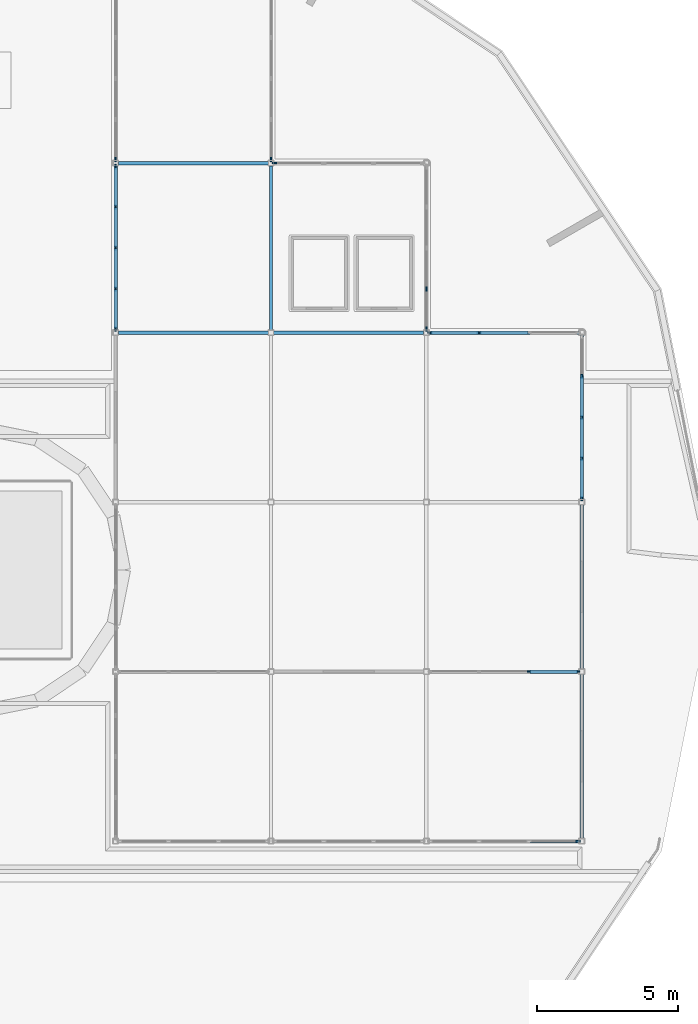
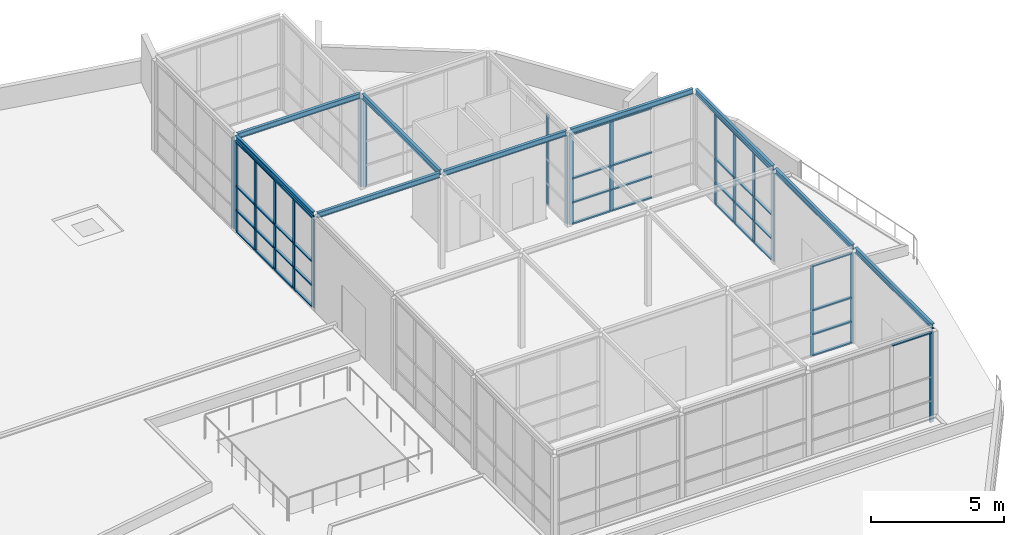
# One storey, part 13 of 40: 60 members, 9 beams, 9 elements without a shape of their own.
"""IFC4 building model written with IfcOpenShell, lengths in metres."""

from ifc_helpers import new_model, si_unit, direction, frame, origin, origin_2d, place, context, subcontext, project, spatial, rectangle, i_section, extrude, material, material_profile, profile_set, type_object, element, aggregate, save


model = new_model("IFC4")

# Units and contexts
model_context = context("Model", 3, precision=1e-05, world=origin(), true_north=direction((0.0, 1.0)))
body_context = subcontext(model_context, "Body", "Model", "MODEL_VIEW")
ifc_project = project(units=[si_unit("LENGTHUNIT", "METRE"), si_unit("AREAUNIT", "SQUARE_METRE"), si_unit("VOLUMEUNIT", "CUBIC_METRE"), si_unit("PLANEANGLEUNIT", "RADIAN"), si_unit("MASSUNIT", "GRAM", prefix="KILO")], contexts=[model_context])

# Site, building, storey
site_placement = place(None, origin())
site = spatial("IfcSite", under=ifc_project, at=site_placement, CompositionType="ELEMENT")
building_placement = place(site_placement, origin())
building = spatial("IfcBuilding", under=site, at=building_placement, Name="Ceibo Conservatory and Research Tower", CompositionType="ELEMENT")
storey_placement = place(building_placement, frame((0.0, 0.0, 6.0)))
storey = spatial("IfcBuildingStorey", under=building, at=storey_placement, Name="L01", CompositionType="ELEMENT", Elevation=6.0)

# Beams
ifc_material_1 = material(Name="Steel S355J2", Category="steel")
ifc_material_profile_1 = material_profile(ifc_material_1, i_section(OverallWidth=0.1201171875, OverallDepth=0.239990234375, WebThickness=0.006103515625, FlangeThickness=0.009765625, at=origin_2d()), Name="IPE 240")
ifc_profile_set_1 = profile_set([ifc_material_profile_1], Name="Steel S355J2")
beam_type = type_object("IfcBeamType", Name="IPE 240 gallery roof beam", PredefinedType="BEAM", material=ifc_profile_set_1)
for number, where, z_axis, x_axis, name in (
    (1, (172.794921875, 44.39990234375, 4.280029296875), (1.0, 0.0, 0.0), (0.0, 1.0, 0.0), "Sky Gallery roof beam VC-SBh03"),
    (2, (178.294921875, 44.39990234375, 4.280029296875), (1.0, 0.0, 0.0), (0.0, 1.0, 0.0), "Sky Gallery roof beam VC-SBh13"),
    (3, (183.794921875, 44.39990234375, 4.280029296875), (1.0, 0.0, 0.0), (0.0, 1.0, 0.0), "Sky Gallery roof beam VC-SBh23"),
    (4, (172.794921875, 50.39990234375, 4.280029296875), (1.0, 0.0, 0.0), (0.0, 1.0, 0.0), "Sky Gallery roof beam VC-SBh04"),
):
    element("IfcBeam", number, at=place(storey_placement, frame(where, z_axis=z_axis, x_axis=x_axis)), inside=storey, type_object=beam_type, Name=name, PredefinedType="BEAM", context=body_context, shape_type="SweptSolid", body=[
        extrude(i_section(OverallWidth=0.1201171875, OverallDepth=0.239990234375, WebThickness=0.006103515625, FlangeThickness=0.009765625, at=origin_2d()), origin(), (0.0, 0.0, 1.0), 5.31005859375),
    ])
for number, where, z_axis, x_axis, name in (
    (5, (172.699951171875, 44.4951171875, 4.280029296875), (0.0, 1.0, 0.0), (-1.0, 0.0, 0.0), "Sky Gallery roof beam VC-SBv03"),
    (6, (178.199951171875, 44.4951171875, 4.280029296875), (0.0, 1.0, 0.0), (-1.0, 0.0, 0.0), "Sky Gallery roof beam VC-SBv13"),
    (7, (189.199951171875, 26.4951171875, 4.280029296875), (0.0, 1.0, 0.0), (-1.0, 0.0, 0.0), "Sky Gallery roof beam VC-SBv30"),
    (8, (189.199951171875, 32.4951171875, 4.280029296875), (0.0, 1.0, 0.0), (-1.0, 0.0, 0.0), "Sky Gallery roof beam VC-SBv31"),
    (9, (189.199951171875, 38.4951171875, 4.280029296875), (0.0, 1.0, 0.0), (-1.0, 0.0, 0.0), "Sky Gallery roof beam VC-SBv32"),
):
    element("IfcBeam", number, at=place(storey_placement, frame(where, z_axis=z_axis, x_axis=x_axis)), inside=storey, type_object=beam_type, Name=name, PredefinedType="BEAM", context=body_context, shape_type="SweptSolid", body=[
        extrude(i_section(OverallWidth=0.1201171875, OverallDepth=0.239990234375, WebThickness=0.006103515625, FlangeThickness=0.009765625, at=origin_2d()), origin(), (0.0, 0.0, 1.0), 5.809814453125),
    ])

# Curtain wall, member
ifc_material_2 = material(Name="Aluminium and glass", Category="aluminium")
curtain_wall_type_1 = type_object("IfcCurtainWallType", Name="Sky gallery curtain wall", PredefinedType="NOTDEFINED", material=ifc_material_2)
curtain_wall_1_placement = place(storey_placement, origin())
curtain_wall_1 = element("IfcCurtainWall", 10, at=curtain_wall_1_placement, inside=storey, type_object=curtain_wall_type_1, Name="Sky Gallery curtain wall h20", PredefinedType="NOTDEFINED")
ifc_material_3 = material(Name="Aluminium", Category="aluminium")
ifc_material_profile_2 = material_profile(ifc_material_3, rectangle(XDim=0.06005859375, YDim=0.159912109375, at=origin_2d()), Name="AL 60x160")
ifc_profile_set_2 = profile_set([ifc_material_profile_2], Name="Aluminium")
member_type_1 = type_object("IfcMemberType", Name="Sky gallery mullion 60x160", PredefinedType="MULLION", material=ifc_profile_set_2)
member_1_placement = place(storey_placement, frame((189.070068359375, 26.39990234375, 0.0), z_axis=(0.0, 0.0, 1.0), x_axis=(0.0, 1.0, 0.0)))
member_1 = element("IfcMember", 11, at=member_1_placement, type_object=member_type_1, Name="VC-SWh20 mullion 4", PredefinedType="MULLION", context=body_context, shape_type="SweptSolid", body=[
    extrude(rectangle(XDim=0.06005859375, YDim=0.159912109375, at=origin_2d()), origin(), (0.0, 0.0, 1.0), 4.159912109375),
])

# Curtain wall, members
curtain_wall_2_placement = place(storey_placement, origin())
curtain_wall_2 = element("IfcCurtainWall", 12, at=curtain_wall_2_placement, inside=storey, type_object=curtain_wall_type_1, Name="Sky Gallery curtain wall h23", PredefinedType="NOTDEFINED")
member_2_placement = place(storey_placement, frame((183.830078125, 44.39990234375, 0.0), z_axis=(0.0, 0.0, 1.0), x_axis=(0.0, 1.0, 0.0)))
member_2 = element("IfcMember", 13, at=member_2_placement, type_object=member_type_1, Name="VC-SWh23 mullion 1", PredefinedType="MULLION", context=body_context, shape_type="SweptSolid", body=[
    extrude(rectangle(XDim=0.06005859375, YDim=0.159912109375, at=origin_2d()), origin(), (0.0, 0.0, 1.0), 4.159912109375),
])
member_3_placement = place(storey_placement, frame((185.566650390625, 44.39990234375, 0.0), z_axis=(0.0, 0.0, 1.0), x_axis=(0.0, 1.0, 0.0)))
member_3 = element("IfcMember", 14, at=member_3_placement, type_object=member_type_1, Name="VC-SWh23 mullion 2", PredefinedType="MULLION", context=body_context, shape_type="SweptSolid", body=[
    extrude(rectangle(XDim=0.06005859375, YDim=0.159912109375, at=origin_2d()), origin(), (0.0, 0.0, 1.0), 4.159912109375),
])

# Curtain wall, member
curtain_wall_3_placement = place(storey_placement, origin())
curtain_wall_3 = element("IfcCurtainWall", 15, at=curtain_wall_3_placement, inside=storey, type_object=curtain_wall_type_1, Name="Sky Gallery curtain wall h14", PredefinedType="NOTDEFINED")
member_4_placement = place(storey_placement, frame((178.330078125, 50.39990234375, 0.0), z_axis=(0.0, 0.0, 1.0), x_axis=(0.0, 1.0, 0.0)))
member_4 = element("IfcMember", 16, at=member_4_placement, type_object=member_type_1, Name="VC-SWh14 mullion 1", PredefinedType="MULLION", context=body_context, shape_type="SweptSolid", body=[
    extrude(rectangle(XDim=0.06005859375, YDim=0.159912109375, at=origin_2d()), origin(), (0.0, 0.0, 1.0), 4.159912109375),
])
aggregate(curtain_wall_3, [member_4])

# Curtain wall, members
curtain_wall_4_placement = place(storey_placement, origin())
curtain_wall_4 = element("IfcCurtainWall", 17, at=curtain_wall_4_placement, inside=storey, type_object=curtain_wall_type_1, Name="Sky Gallery curtain wall v03", PredefinedType="NOTDEFINED")
member_5_placement = place(storey_placement, frame((172.699951171875, 44.530029296875, 0.0), z_axis=(0.0, 0.0, 1.0), x_axis=(-1.0, 0.0, 0.0)))
member_5 = element("IfcMember", 18, at=member_5_placement, type_object=member_type_1, Name="VC-SWv03 mullion 1", PredefinedType="MULLION", context=body_context, shape_type="SweptSolid", body=[
    extrude(rectangle(XDim=0.06005859375, YDim=0.159912109375, at=origin_2d()), origin(), (0.0, 0.0, 1.0), 4.159912109375),
])
member_6_placement = place(storey_placement, frame((172.699951171875, 45.949951171875, 0.0), z_axis=(0.0, 0.0, 1.0), x_axis=(-1.0, 0.0, 0.0)))
member_6 = element("IfcMember", 19, at=member_6_placement, type_object=member_type_1, Name="VC-SWv03 mullion 2", PredefinedType="MULLION", context=body_context, shape_type="SweptSolid", body=[
    extrude(rectangle(XDim=0.06005859375, YDim=0.159912109375, at=origin_2d()), origin(), (0.0, 0.0, 1.0), 4.159912109375),
])
member_7_placement = place(storey_placement, frame((172.699951171875, 47.39990234375, 0.0), z_axis=(0.0, 0.0, 1.0), x_axis=(-1.0, 0.0, 0.0)))
member_7 = element("IfcMember", 20, at=member_7_placement, type_object=member_type_1, Name="VC-SWv03 mullion 3", PredefinedType="MULLION", context=body_context, shape_type="SweptSolid", body=[
    extrude(rectangle(XDim=0.06005859375, YDim=0.159912109375, at=origin_2d()), origin(), (0.0, 0.0, 1.0), 4.159912109375),
])
member_8_placement = place(storey_placement, frame((172.699951171875, 48.85009765625, 0.0), z_axis=(0.0, 0.0, 1.0), x_axis=(-1.0, 0.0, 0.0)))
member_8 = element("IfcMember", 21, at=member_8_placement, type_object=member_type_1, Name="VC-SWv03 mullion 4", PredefinedType="MULLION", context=body_context, shape_type="SweptSolid", body=[
    extrude(rectangle(XDim=0.06005859375, YDim=0.159912109375, at=origin_2d()), origin(), (0.0, 0.0, 1.0), 4.159912109375),
])
member_9_placement = place(storey_placement, frame((172.699951171875, 50.27001953125, 0.0), z_axis=(0.0, 0.0, 1.0), x_axis=(-1.0, 0.0, 0.0)))
member_9 = element("IfcMember", 22, at=member_9_placement, type_object=member_type_1, Name="VC-SWv03 mullion 5", PredefinedType="MULLION", context=body_context, shape_type="SweptSolid", body=[
    extrude(rectangle(XDim=0.06005859375, YDim=0.159912109375, at=origin_2d()), origin(), (0.0, 0.0, 1.0), 4.159912109375),
])

# Curtain wall, member
curtain_wall_5_placement = place(storey_placement, origin())
curtain_wall_5 = element("IfcCurtainWall", 23, at=curtain_wall_5_placement, inside=storey, type_object=curtain_wall_type_1, Name="Sky Gallery curtain wall v04", PredefinedType="NOTDEFINED")
member_10_placement = place(storey_placement, frame((172.699951171875, 50.530029296875, 0.0), z_axis=(0.0, 0.0, 1.0), x_axis=(-1.0, 0.0, 0.0)))
member_10 = element("IfcMember", 24, at=member_10_placement, type_object=member_type_1, Name="VC-SWv04 mullion 1", PredefinedType="MULLION", context=body_context, shape_type="SweptSolid", body=[
    extrude(rectangle(XDim=0.06005859375, YDim=0.159912109375, at=origin_2d()), origin(), (0.0, 0.0, 1.0), 4.159912109375),
])
aggregate(curtain_wall_5, [member_10])

curtain_wall_6_placement = place(storey_placement, origin())
curtain_wall_6 = element("IfcCurtainWall", 25, at=curtain_wall_6_placement, inside=storey, type_object=curtain_wall_type_1, Name="Sky Gallery curtain wall v14", PredefinedType="NOTDEFINED")
member_11_placement = place(storey_placement, frame((178.199951171875, 50.530029296875, 0.0), z_axis=(0.0, 0.0, 1.0), x_axis=(-1.0, 0.0, 0.0)))
member_11 = element("IfcMember", 26, at=member_11_placement, type_object=member_type_1, Name="VC-SWv14 mullion 1", PredefinedType="MULLION", context=body_context, shape_type="SweptSolid", body=[
    extrude(rectangle(XDim=0.06005859375, YDim=0.159912109375, at=origin_2d()), origin(), (0.0, 0.0, 1.0), 4.159912109375),
])
aggregate(curtain_wall_6, [member_11])

# Curtain wall, members
curtain_wall_7_placement = place(storey_placement, origin())
curtain_wall_7 = element("IfcCurtainWall", 27, at=curtain_wall_7_placement, inside=storey, type_object=curtain_wall_type_1, Name="Sky Gallery curtain wall v23", PredefinedType="NOTDEFINED")
member_12_placement = place(storey_placement, frame((183.699951171875, 44.530029296875, 0.0), z_axis=(0.0, 0.0, 1.0), x_axis=(-1.0, 0.0, 0.0)))
member_12 = element("IfcMember", 28, at=member_12_placement, type_object=member_type_1, Name="VC-SWv23 mullion 1", PredefinedType="MULLION", context=body_context, shape_type="SweptSolid", body=[
    extrude(rectangle(XDim=0.06005859375, YDim=0.159912109375, at=origin_2d()), origin(), (0.0, 0.0, 1.0), 4.159912109375),
])
member_13_placement = place(storey_placement, frame((183.699951171875, 45.949951171875, 0.0), z_axis=(0.0, 0.0, 1.0), x_axis=(-1.0, 0.0, 0.0)))
member_13 = element("IfcMember", 29, at=member_13_placement, type_object=member_type_1, Name="VC-SWv23 mullion 2", PredefinedType="MULLION", context=body_context, shape_type="SweptSolid", body=[
    extrude(rectangle(XDim=0.06005859375, YDim=0.159912109375, at=origin_2d()), origin(), (0.0, 0.0, 1.0), 4.159912109375),
])
aggregate(curtain_wall_7, [member_12, member_13])

curtain_wall_8_placement = place(storey_placement, origin())
curtain_wall_8 = element("IfcCurtainWall", 30, at=curtain_wall_8_placement, inside=storey, type_object=curtain_wall_type_1, Name="Sky Gallery curtain wall v32", PredefinedType="NOTDEFINED")
member_14_placement = place(storey_placement, frame((189.199951171875, 38.530029296875, 0.0), z_axis=(0.0, 0.0, 1.0), x_axis=(-1.0, 0.0, 0.0)))
member_14 = element("IfcMember", 31, at=member_14_placement, type_object=member_type_1, Name="VC-SWv32 mullion 1", PredefinedType="MULLION", context=body_context, shape_type="SweptSolid", body=[
    extrude(rectangle(XDim=0.06005859375, YDim=0.159912109375, at=origin_2d()), origin(), (0.0, 0.0, 1.0), 4.159912109375),
])
member_15_placement = place(storey_placement, frame((189.199951171875, 39.949951171875, 0.0), z_axis=(0.0, 0.0, 1.0), x_axis=(-1.0, 0.0, 0.0)))
member_15 = element("IfcMember", 32, at=member_15_placement, type_object=member_type_1, Name="VC-SWv32 mullion 2", PredefinedType="MULLION", context=body_context, shape_type="SweptSolid", body=[
    extrude(rectangle(XDim=0.06005859375, YDim=0.159912109375, at=origin_2d()), origin(), (0.0, 0.0, 1.0), 4.159912109375),
])
member_16_placement = place(storey_placement, frame((189.199951171875, 41.39990234375, 0.0), z_axis=(0.0, 0.0, 1.0), x_axis=(-1.0, 0.0, 0.0)))
member_16 = element("IfcMember", 33, at=member_16_placement, type_object=member_type_1, Name="VC-SWv32 mullion 3", PredefinedType="MULLION", context=body_context, shape_type="SweptSolid", body=[
    extrude(rectangle(XDim=0.06005859375, YDim=0.159912109375, at=origin_2d()), origin(), (0.0, 0.0, 1.0), 4.159912109375),
])
member_17_placement = place(storey_placement, frame((189.199951171875, 42.85009765625, 0.0), z_axis=(0.0, 0.0, 1.0), x_axis=(-1.0, 0.0, 0.0)))
member_17 = element("IfcMember", 34, at=member_17_placement, type_object=member_type_1, Name="VC-SWv32 mullion 4", PredefinedType="MULLION", context=body_context, shape_type="SweptSolid", body=[
    extrude(rectangle(XDim=0.06005859375, YDim=0.159912109375, at=origin_2d()), origin(), (0.0, 0.0, 1.0), 4.159912109375),
])

curtain_wall_type_2 = type_object("IfcCurtainWallType", Name="Sky gallery partition glazing", PredefinedType="NOTDEFINED", material=ifc_material_2)
curtain_wall_9_placement = place(storey_placement, origin())
curtain_wall_9 = element("IfcCurtainWall", 35, at=curtain_wall_9_placement, inside=storey, type_object=curtain_wall_type_2, Name="Sky Gallery curtain wall h21", PredefinedType="NOTDEFINED")
ifc_material_profile_3 = material_profile(ifc_material_3, rectangle(XDim=0.06005859375, YDim=0.1201171875, at=origin_2d()), Name="AL 60x120")
ifc_profile_set_3 = profile_set([ifc_material_profile_3], Name="Aluminium")
member_type_2 = type_object("IfcMemberType", Name="Sky gallery partition mullion 60x120", PredefinedType="MULLION", material=ifc_profile_set_3)
member_18_placement = place(storey_placement, frame((187.333251953125, 32.39990234375, 0.0), z_axis=(0.0, 0.0, 1.0), x_axis=(0.0, 1.0, 0.0)))
member_18 = element("IfcMember", 36, at=member_18_placement, type_object=member_type_2, Name="VC-SWh21 mullion 3", PredefinedType="MULLION", context=body_context, shape_type="SweptSolid", body=[
    extrude(rectangle(XDim=0.06005859375, YDim=0.1201171875, at=origin_2d()), origin(), (0.0, 0.0, 1.0), 4.159912109375),
])
member_19_placement = place(storey_placement, frame((189.070068359375, 32.39990234375, 0.0), z_axis=(0.0, 0.0, 1.0), x_axis=(0.0, 1.0, 0.0)))
member_19 = element("IfcMember", 37, at=member_19_placement, type_object=member_type_2, Name="VC-SWh21 mullion 4", PredefinedType="MULLION", context=body_context, shape_type="SweptSolid", body=[
    extrude(rectangle(XDim=0.06005859375, YDim=0.1201171875, at=origin_2d()), origin(), (0.0, 0.0, 1.0), 4.159912109375),
])
ifc_material_profile_4 = material_profile(ifc_material_3, rectangle(XDim=0.1201171875, YDim=0.06005859375, at=origin_2d()), Name="AL 60x120")
ifc_profile_set_4 = profile_set([ifc_material_profile_4], Name="Aluminium")
member_type_3 = type_object("IfcMemberType", Name="Sky gallery partition transom 60x120", PredefinedType="USERDEFINED", material=ifc_profile_set_4)
member_20_placement = place(storey_placement, frame((187.36328125, 32.39990234375, 0.030029296875), z_axis=(1.0, 0.0, 0.0), x_axis=(0.0, 1.0, 0.0)))
member_20 = element("IfcMember", 38, at=member_20_placement, type_object=member_type_3, Name="VC-SWh21 transom 3.1", ObjectType="TRANSOM", PredefinedType="USERDEFINED", context=body_context, shape_type="SweptSolid", body=[
    extrude(rectangle(XDim=0.1201171875, YDim=0.06005859375, at=origin_2d()), origin(), (0.0, 0.0, 1.0), 1.6767578125),
])
member_21_placement = place(storey_placement, frame((187.36328125, 32.39990234375, 1.0), z_axis=(1.0, 0.0, 0.0), x_axis=(0.0, 1.0, 0.0)))
member_21 = element("IfcMember", 39, at=member_21_placement, type_object=member_type_3, Name="VC-SWh21 transom 3.2", ObjectType="TRANSOM", PredefinedType="USERDEFINED", context=body_context, shape_type="SweptSolid", body=[
    extrude(rectangle(XDim=0.1201171875, YDim=0.06005859375, at=origin_2d()), origin(), (0.0, 0.0, 1.0), 1.6767578125),
])
member_22_placement = place(storey_placement, frame((187.36328125, 32.39990234375, 2.10009765625), z_axis=(1.0, 0.0, 0.0), x_axis=(0.0, 1.0, 0.0)))
member_22 = element("IfcMember", 40, at=member_22_placement, type_object=member_type_3, Name="VC-SWh21 transom 3.3", ObjectType="TRANSOM", PredefinedType="USERDEFINED", context=body_context, shape_type="SweptSolid", body=[
    extrude(rectangle(XDim=0.1201171875, YDim=0.06005859375, at=origin_2d()), origin(), (0.0, 0.0, 1.0), 1.6767578125),
])
member_23_placement = place(storey_placement, frame((187.36328125, 32.39990234375, 4.1298828125), z_axis=(1.0, 0.0, 0.0), x_axis=(0.0, 1.0, 0.0)))
member_23 = element("IfcMember", 41, at=member_23_placement, type_object=member_type_3, Name="VC-SWh21 transom 3.4", ObjectType="TRANSOM", PredefinedType="USERDEFINED", context=body_context, shape_type="SweptSolid", body=[
    extrude(rectangle(XDim=0.1201171875, YDim=0.06005859375, at=origin_2d()), origin(), (0.0, 0.0, 1.0), 1.6767578125),
])
aggregate(curtain_wall_9, [member_18, member_19, member_20, member_21, member_22, member_23])

# Member
ifc_material_profile_5 = material_profile(ifc_material_3, rectangle(XDim=0.1201171875, YDim=0.06005859375, at=origin_2d()), Name="AL 60x120")
ifc_profile_set_5 = profile_set([ifc_material_profile_5], Name="Aluminium")
member_type_4 = type_object("IfcMemberType", Name="Sky gallery transom 60x120", PredefinedType="USERDEFINED", material=ifc_profile_set_5)
member_24_placement = place(storey_placement, frame((187.36328125, 26.39990234375, 4.1298828125), z_axis=(1.0, 0.0, 0.0), x_axis=(0.0, 1.0, 0.0)))
member_24 = element("IfcMember", 42, at=member_24_placement, type_object=member_type_4, Name="VC-SWh20 transom 3.4", ObjectType="TRANSOM", PredefinedType="USERDEFINED", context=body_context, shape_type="SweptSolid", body=[
    extrude(rectangle(XDim=0.1201171875, YDim=0.06005859375, at=origin_2d()), origin(), (0.0, 0.0, 1.0), 1.6767578125),
])

aggregate(curtain_wall_1, [member_1, member_24])

member_25_placement = place(storey_placement, frame((183.860107421875, 44.39990234375, 0.030029296875), z_axis=(1.0, 0.0, 0.0), x_axis=(0.0, 1.0, 0.0)))
member_25 = element("IfcMember", 43, at=member_25_placement, type_object=member_type_4, Name="VC-SWh23 transom 1.1", ObjectType="TRANSOM", PredefinedType="USERDEFINED", context=body_context, shape_type="SweptSolid", body=[
    extrude(rectangle(XDim=0.1201171875, YDim=0.06005859375, at=origin_2d()), origin(), (0.0, 0.0, 1.0), 1.676513671875),
])

member_26_placement = place(storey_placement, frame((183.860107421875, 44.39990234375, 1.0), z_axis=(1.0, 0.0, 0.0), x_axis=(0.0, 1.0, 0.0)))
member_26 = element("IfcMember", 44, at=member_26_placement, type_object=member_type_4, Name="VC-SWh23 transom 1.2", ObjectType="TRANSOM", PredefinedType="USERDEFINED", context=body_context, shape_type="SweptSolid", body=[
    extrude(rectangle(XDim=0.1201171875, YDim=0.06005859375, at=origin_2d()), origin(), (0.0, 0.0, 1.0), 1.676513671875),
])

member_27_placement = place(storey_placement, frame((183.860107421875, 44.39990234375, 2.10009765625), z_axis=(1.0, 0.0, 0.0), x_axis=(0.0, 1.0, 0.0)))
member_27 = element("IfcMember", 45, at=member_27_placement, type_object=member_type_4, Name="VC-SWh23 transom 1.3", ObjectType="TRANSOM", PredefinedType="USERDEFINED", context=body_context, shape_type="SweptSolid", body=[
    extrude(rectangle(XDim=0.1201171875, YDim=0.06005859375, at=origin_2d()), origin(), (0.0, 0.0, 1.0), 1.676513671875),
])

member_28_placement = place(storey_placement, frame((183.860107421875, 44.39990234375, 4.1298828125), z_axis=(1.0, 0.0, 0.0), x_axis=(0.0, 1.0, 0.0)))
member_28 = element("IfcMember", 46, at=member_28_placement, type_object=member_type_4, Name="VC-SWh23 transom 1.4", ObjectType="TRANSOM", PredefinedType="USERDEFINED", context=body_context, shape_type="SweptSolid", body=[
    extrude(rectangle(XDim=0.1201171875, YDim=0.06005859375, at=origin_2d()), origin(), (0.0, 0.0, 1.0), 1.676513671875),
])

member_29_placement = place(storey_placement, frame((185.5966796875, 44.39990234375, 0.030029296875), z_axis=(1.0, 0.0, 0.0), x_axis=(0.0, 1.0, 0.0)))
member_29 = element("IfcMember", 47, at=member_29_placement, type_object=member_type_4, Name="VC-SWh23 transom 2.1", ObjectType="TRANSOM", PredefinedType="USERDEFINED", context=body_context, shape_type="SweptSolid", body=[
    extrude(rectangle(XDim=0.1201171875, YDim=0.06005859375, at=origin_2d()), origin(), (0.0, 0.0, 1.0), 1.70654296875),
])

member_30_placement = place(storey_placement, frame((185.5966796875, 44.39990234375, 1.0), z_axis=(1.0, 0.0, 0.0), x_axis=(0.0, 1.0, 0.0)))
member_30 = element("IfcMember", 48, at=member_30_placement, type_object=member_type_4, Name="VC-SWh23 transom 2.2", ObjectType="TRANSOM", PredefinedType="USERDEFINED", context=body_context, shape_type="SweptSolid", body=[
    extrude(rectangle(XDim=0.1201171875, YDim=0.06005859375, at=origin_2d()), origin(), (0.0, 0.0, 1.0), 1.70654296875),
])

member_31_placement = place(storey_placement, frame((185.5966796875, 44.39990234375, 2.10009765625), z_axis=(1.0, 0.0, 0.0), x_axis=(0.0, 1.0, 0.0)))
member_31 = element("IfcMember", 49, at=member_31_placement, type_object=member_type_4, Name="VC-SWh23 transom 2.3", ObjectType="TRANSOM", PredefinedType="USERDEFINED", context=body_context, shape_type="SweptSolid", body=[
    extrude(rectangle(XDim=0.1201171875, YDim=0.06005859375, at=origin_2d()), origin(), (0.0, 0.0, 1.0), 1.70654296875),
])

member_32_placement = place(storey_placement, frame((185.5966796875, 44.39990234375, 4.1298828125), z_axis=(1.0, 0.0, 0.0), x_axis=(0.0, 1.0, 0.0)))
member_32 = element("IfcMember", 50, at=member_32_placement, type_object=member_type_4, Name="VC-SWh23 transom 2.4", ObjectType="TRANSOM", PredefinedType="USERDEFINED", context=body_context, shape_type="SweptSolid", body=[
    extrude(rectangle(XDim=0.1201171875, YDim=0.06005859375, at=origin_2d()), origin(), (0.0, 0.0, 1.0), 1.70654296875),
])

aggregate(curtain_wall_2, [member_2, member_3, member_25, member_26, member_27, member_28, member_29, member_30, member_31, member_32])

member_33_placement = place(storey_placement, frame((172.699951171875, 44.56005859375, 0.030029296875), z_axis=(0.0, 1.0, 0.0), x_axis=(-1.0, 0.0, 0.0)))
member_33 = element("IfcMember", 51, at=member_33_placement, type_object=member_type_4, Name="VC-SWv03 transom 1.1", ObjectType="TRANSOM", PredefinedType="USERDEFINED", context=body_context, shape_type="SweptSolid", body=[
    extrude(rectangle(XDim=0.1201171875, YDim=0.06005859375, at=origin_2d()), origin(), (0.0, 0.0, 1.0), 1.35986328125),
])

member_34_placement = place(storey_placement, frame((172.699951171875, 44.56005859375, 1.0), z_axis=(0.0, 1.0, 0.0), x_axis=(-1.0, 0.0, 0.0)))
member_34 = element("IfcMember", 52, at=member_34_placement, type_object=member_type_4, Name="VC-SWv03 transom 1.2", ObjectType="TRANSOM", PredefinedType="USERDEFINED", context=body_context, shape_type="SweptSolid", body=[
    extrude(rectangle(XDim=0.1201171875, YDim=0.06005859375, at=origin_2d()), origin(), (0.0, 0.0, 1.0), 1.35986328125),
])

member_35_placement = place(storey_placement, frame((172.699951171875, 44.56005859375, 2.10009765625), z_axis=(0.0, 1.0, 0.0), x_axis=(-1.0, 0.0, 0.0)))
member_35 = element("IfcMember", 53, at=member_35_placement, type_object=member_type_4, Name="VC-SWv03 transom 1.3", ObjectType="TRANSOM", PredefinedType="USERDEFINED", context=body_context, shape_type="SweptSolid", body=[
    extrude(rectangle(XDim=0.1201171875, YDim=0.06005859375, at=origin_2d()), origin(), (0.0, 0.0, 1.0), 1.35986328125),
])

member_36_placement = place(storey_placement, frame((172.699951171875, 44.56005859375, 4.1298828125), z_axis=(0.0, 1.0, 0.0), x_axis=(-1.0, 0.0, 0.0)))
member_36 = element("IfcMember", 54, at=member_36_placement, type_object=member_type_4, Name="VC-SWv03 transom 1.4", ObjectType="TRANSOM", PredefinedType="USERDEFINED", context=body_context, shape_type="SweptSolid", body=[
    extrude(rectangle(XDim=0.1201171875, YDim=0.06005859375, at=origin_2d()), origin(), (0.0, 0.0, 1.0), 1.35986328125),
])

member_37_placement = place(storey_placement, frame((172.699951171875, 45.97998046875, 0.030029296875), z_axis=(0.0, 1.0, 0.0), x_axis=(-1.0, 0.0, 0.0)))
member_37 = element("IfcMember", 55, at=member_37_placement, type_object=member_type_4, Name="VC-SWv03 transom 2.1", ObjectType="TRANSOM", PredefinedType="USERDEFINED", context=body_context, shape_type="SweptSolid", body=[
    extrude(rectangle(XDim=0.1201171875, YDim=0.06005859375, at=origin_2d()), origin(), (0.0, 0.0, 1.0), 1.39013671875),
])

member_38_placement = place(storey_placement, frame((172.699951171875, 45.97998046875, 1.0), z_axis=(0.0, 1.0, 0.0), x_axis=(-1.0, 0.0, 0.0)))
member_38 = element("IfcMember", 56, at=member_38_placement, type_object=member_type_4, Name="VC-SWv03 transom 2.2", ObjectType="TRANSOM", PredefinedType="USERDEFINED", context=body_context, shape_type="SweptSolid", body=[
    extrude(rectangle(XDim=0.1201171875, YDim=0.06005859375, at=origin_2d()), origin(), (0.0, 0.0, 1.0), 1.39013671875),
])

member_39_placement = place(storey_placement, frame((172.699951171875, 45.97998046875, 2.10009765625), z_axis=(0.0, 1.0, 0.0), x_axis=(-1.0, 0.0, 0.0)))
member_39 = element("IfcMember", 57, at=member_39_placement, type_object=member_type_4, Name="VC-SWv03 transom 2.3", ObjectType="TRANSOM", PredefinedType="USERDEFINED", context=body_context, shape_type="SweptSolid", body=[
    extrude(rectangle(XDim=0.1201171875, YDim=0.06005859375, at=origin_2d()), origin(), (0.0, 0.0, 1.0), 1.39013671875),
])

member_40_placement = place(storey_placement, frame((172.699951171875, 45.97998046875, 4.1298828125), z_axis=(0.0, 1.0, 0.0), x_axis=(-1.0, 0.0, 0.0)))
member_40 = element("IfcMember", 58, at=member_40_placement, type_object=member_type_4, Name="VC-SWv03 transom 2.4", ObjectType="TRANSOM", PredefinedType="USERDEFINED", context=body_context, shape_type="SweptSolid", body=[
    extrude(rectangle(XDim=0.1201171875, YDim=0.06005859375, at=origin_2d()), origin(), (0.0, 0.0, 1.0), 1.39013671875),
])

member_41_placement = place(storey_placement, frame((172.699951171875, 47.429931640625, 0.030029296875), z_axis=(0.0, 1.0, 0.0), x_axis=(-1.0, 0.0, 0.0)))
member_41 = element("IfcMember", 59, at=member_41_placement, type_object=member_type_4, Name="VC-SWv03 transom 3.1", ObjectType="TRANSOM", PredefinedType="USERDEFINED", context=body_context, shape_type="SweptSolid", body=[
    extrude(rectangle(XDim=0.1201171875, YDim=0.06005859375, at=origin_2d()), origin(), (0.0, 0.0, 1.0), 1.39013671875),
])

member_42_placement = place(storey_placement, frame((172.699951171875, 47.429931640625, 1.0), z_axis=(0.0, 1.0, 0.0), x_axis=(-1.0, 0.0, 0.0)))
member_42 = element("IfcMember", 60, at=member_42_placement, type_object=member_type_4, Name="VC-SWv03 transom 3.2", ObjectType="TRANSOM", PredefinedType="USERDEFINED", context=body_context, shape_type="SweptSolid", body=[
    extrude(rectangle(XDim=0.1201171875, YDim=0.06005859375, at=origin_2d()), origin(), (0.0, 0.0, 1.0), 1.39013671875),
])

member_43_placement = place(storey_placement, frame((172.699951171875, 47.429931640625, 2.10009765625), z_axis=(0.0, 1.0, 0.0), x_axis=(-1.0, 0.0, 0.0)))
member_43 = element("IfcMember", 61, at=member_43_placement, type_object=member_type_4, Name="VC-SWv03 transom 3.3", ObjectType="TRANSOM", PredefinedType="USERDEFINED", context=body_context, shape_type="SweptSolid", body=[
    extrude(rectangle(XDim=0.1201171875, YDim=0.06005859375, at=origin_2d()), origin(), (0.0, 0.0, 1.0), 1.39013671875),
])

member_44_placement = place(storey_placement, frame((172.699951171875, 47.429931640625, 4.1298828125), z_axis=(0.0, 1.0, 0.0), x_axis=(-1.0, 0.0, 0.0)))
member_44 = element("IfcMember", 62, at=member_44_placement, type_object=member_type_4, Name="VC-SWv03 transom 3.4", ObjectType="TRANSOM", PredefinedType="USERDEFINED", context=body_context, shape_type="SweptSolid", body=[
    extrude(rectangle(XDim=0.1201171875, YDim=0.06005859375, at=origin_2d()), origin(), (0.0, 0.0, 1.0), 1.39013671875),
])

member_45_placement = place(storey_placement, frame((172.699951171875, 48.8798828125, 0.030029296875), z_axis=(0.0, 1.0, 0.0), x_axis=(-1.0, 0.0, 0.0)))
member_45 = element("IfcMember", 63, at=member_45_placement, type_object=member_type_4, Name="VC-SWv03 transom 4.1", ObjectType="TRANSOM", PredefinedType="USERDEFINED", context=body_context, shape_type="SweptSolid", body=[
    extrude(rectangle(XDim=0.1201171875, YDim=0.06005859375, at=origin_2d()), origin(), (0.0, 0.0, 1.0), 1.360107421875),
])

member_46_placement = place(storey_placement, frame((172.699951171875, 48.8798828125, 1.0), z_axis=(0.0, 1.0, 0.0), x_axis=(-1.0, 0.0, 0.0)))
member_46 = element("IfcMember", 64, at=member_46_placement, type_object=member_type_4, Name="VC-SWv03 transom 4.2", ObjectType="TRANSOM", PredefinedType="USERDEFINED", context=body_context, shape_type="SweptSolid", body=[
    extrude(rectangle(XDim=0.1201171875, YDim=0.06005859375, at=origin_2d()), origin(), (0.0, 0.0, 1.0), 1.360107421875),
])

member_47_placement = place(storey_placement, frame((172.699951171875, 48.8798828125, 2.10009765625), z_axis=(0.0, 1.0, 0.0), x_axis=(-1.0, 0.0, 0.0)))
member_47 = element("IfcMember", 65, at=member_47_placement, type_object=member_type_4, Name="VC-SWv03 transom 4.3", ObjectType="TRANSOM", PredefinedType="USERDEFINED", context=body_context, shape_type="SweptSolid", body=[
    extrude(rectangle(XDim=0.1201171875, YDim=0.06005859375, at=origin_2d()), origin(), (0.0, 0.0, 1.0), 1.360107421875),
])

member_48_placement = place(storey_placement, frame((172.699951171875, 48.8798828125, 4.1298828125), z_axis=(0.0, 1.0, 0.0), x_axis=(-1.0, 0.0, 0.0)))
member_48 = element("IfcMember", 66, at=member_48_placement, type_object=member_type_4, Name="VC-SWv03 transom 4.4", ObjectType="TRANSOM", PredefinedType="USERDEFINED", context=body_context, shape_type="SweptSolid", body=[
    extrude(rectangle(XDim=0.1201171875, YDim=0.06005859375, at=origin_2d()), origin(), (0.0, 0.0, 1.0), 1.360107421875),
])

aggregate(curtain_wall_4, [member_5, member_6, member_7, member_8, member_9, member_33, member_34, member_35, member_36, member_37, member_38, member_39, member_40, member_41, member_42, member_43, member_44, member_45, member_46, member_47, member_48])

member_49_placement = place(storey_placement, frame((189.199951171875, 38.56005859375, 0.030029296875), z_axis=(0.0, 1.0, 0.0), x_axis=(-1.0, 0.0, 0.0)))
member_49 = element("IfcMember", 67, at=member_49_placement, type_object=member_type_4, Name="VC-SWv32 transom 1.1", ObjectType="TRANSOM", PredefinedType="USERDEFINED", context=body_context, shape_type="SweptSolid", body=[
    extrude(rectangle(XDim=0.1201171875, YDim=0.06005859375, at=origin_2d()), origin(), (0.0, 0.0, 1.0), 1.35986328125),
])

member_50_placement = place(storey_placement, frame((189.199951171875, 38.56005859375, 1.0), z_axis=(0.0, 1.0, 0.0), x_axis=(-1.0, 0.0, 0.0)))
member_50 = element("IfcMember", 68, at=member_50_placement, type_object=member_type_4, Name="VC-SWv32 transom 1.2", ObjectType="TRANSOM", PredefinedType="USERDEFINED", context=body_context, shape_type="SweptSolid", body=[
    extrude(rectangle(XDim=0.1201171875, YDim=0.06005859375, at=origin_2d()), origin(), (0.0, 0.0, 1.0), 1.35986328125),
])

member_51_placement = place(storey_placement, frame((189.199951171875, 38.56005859375, 2.10009765625), z_axis=(0.0, 1.0, 0.0), x_axis=(-1.0, 0.0, 0.0)))
member_51 = element("IfcMember", 69, at=member_51_placement, type_object=member_type_4, Name="VC-SWv32 transom 1.3", ObjectType="TRANSOM", PredefinedType="USERDEFINED", context=body_context, shape_type="SweptSolid", body=[
    extrude(rectangle(XDim=0.1201171875, YDim=0.06005859375, at=origin_2d()), origin(), (0.0, 0.0, 1.0), 1.35986328125),
])

member_52_placement = place(storey_placement, frame((189.199951171875, 38.56005859375, 4.1298828125), z_axis=(0.0, 1.0, 0.0), x_axis=(-1.0, 0.0, 0.0)))
member_52 = element("IfcMember", 70, at=member_52_placement, type_object=member_type_4, Name="VC-SWv32 transom 1.4", ObjectType="TRANSOM", PredefinedType="USERDEFINED", context=body_context, shape_type="SweptSolid", body=[
    extrude(rectangle(XDim=0.1201171875, YDim=0.06005859375, at=origin_2d()), origin(), (0.0, 0.0, 1.0), 1.35986328125),
])

member_53_placement = place(storey_placement, frame((189.199951171875, 39.97998046875, 0.030029296875), z_axis=(0.0, 1.0, 0.0), x_axis=(-1.0, 0.0, 0.0)))
member_53 = element("IfcMember", 71, at=member_53_placement, type_object=member_type_4, Name="VC-SWv32 transom 2.1", ObjectType="TRANSOM", PredefinedType="USERDEFINED", context=body_context, shape_type="SweptSolid", body=[
    extrude(rectangle(XDim=0.1201171875, YDim=0.06005859375, at=origin_2d()), origin(), (0.0, 0.0, 1.0), 1.39013671875),
])

member_54_placement = place(storey_placement, frame((189.199951171875, 39.97998046875, 1.0), z_axis=(0.0, 1.0, 0.0), x_axis=(-1.0, 0.0, 0.0)))
member_54 = element("IfcMember", 72, at=member_54_placement, type_object=member_type_4, Name="VC-SWv32 transom 2.2", ObjectType="TRANSOM", PredefinedType="USERDEFINED", context=body_context, shape_type="SweptSolid", body=[
    extrude(rectangle(XDim=0.1201171875, YDim=0.06005859375, at=origin_2d()), origin(), (0.0, 0.0, 1.0), 1.39013671875),
])

member_55_placement = place(storey_placement, frame((189.199951171875, 39.97998046875, 2.10009765625), z_axis=(0.0, 1.0, 0.0), x_axis=(-1.0, 0.0, 0.0)))
member_55 = element("IfcMember", 73, at=member_55_placement, type_object=member_type_4, Name="VC-SWv32 transom 2.3", ObjectType="TRANSOM", PredefinedType="USERDEFINED", context=body_context, shape_type="SweptSolid", body=[
    extrude(rectangle(XDim=0.1201171875, YDim=0.06005859375, at=origin_2d()), origin(), (0.0, 0.0, 1.0), 1.39013671875),
])

member_56_placement = place(storey_placement, frame((189.199951171875, 39.97998046875, 4.1298828125), z_axis=(0.0, 1.0, 0.0), x_axis=(-1.0, 0.0, 0.0)))
member_56 = element("IfcMember", 74, at=member_56_placement, type_object=member_type_4, Name="VC-SWv32 transom 2.4", ObjectType="TRANSOM", PredefinedType="USERDEFINED", context=body_context, shape_type="SweptSolid", body=[
    extrude(rectangle(XDim=0.1201171875, YDim=0.06005859375, at=origin_2d()), origin(), (0.0, 0.0, 1.0), 1.39013671875),
])

member_57_placement = place(storey_placement, frame((189.199951171875, 41.429931640625, 0.030029296875), z_axis=(0.0, 1.0, 0.0), x_axis=(-1.0, 0.0, 0.0)))
member_57 = element("IfcMember", 75, at=member_57_placement, type_object=member_type_4, Name="VC-SWv32 transom 3.1", ObjectType="TRANSOM", PredefinedType="USERDEFINED", context=body_context, shape_type="SweptSolid", body=[
    extrude(rectangle(XDim=0.1201171875, YDim=0.06005859375, at=origin_2d()), origin(), (0.0, 0.0, 1.0), 1.39013671875),
])

member_58_placement = place(storey_placement, frame((189.199951171875, 41.429931640625, 1.0), z_axis=(0.0, 1.0, 0.0), x_axis=(-1.0, 0.0, 0.0)))
member_58 = element("IfcMember", 76, at=member_58_placement, type_object=member_type_4, Name="VC-SWv32 transom 3.2", ObjectType="TRANSOM", PredefinedType="USERDEFINED", context=body_context, shape_type="SweptSolid", body=[
    extrude(rectangle(XDim=0.1201171875, YDim=0.06005859375, at=origin_2d()), origin(), (0.0, 0.0, 1.0), 1.39013671875),
])

member_59_placement = place(storey_placement, frame((189.199951171875, 41.429931640625, 2.10009765625), z_axis=(0.0, 1.0, 0.0), x_axis=(-1.0, 0.0, 0.0)))
member_59 = element("IfcMember", 77, at=member_59_placement, type_object=member_type_4, Name="VC-SWv32 transom 3.3", ObjectType="TRANSOM", PredefinedType="USERDEFINED", context=body_context, shape_type="SweptSolid", body=[
    extrude(rectangle(XDim=0.1201171875, YDim=0.06005859375, at=origin_2d()), origin(), (0.0, 0.0, 1.0), 1.39013671875),
])

member_60_placement = place(storey_placement, frame((189.199951171875, 41.429931640625, 4.1298828125), z_axis=(0.0, 1.0, 0.0), x_axis=(-1.0, 0.0, 0.0)))
member_60 = element("IfcMember", 78, at=member_60_placement, type_object=member_type_4, Name="VC-SWv32 transom 3.4", ObjectType="TRANSOM", PredefinedType="USERDEFINED", context=body_context, shape_type="SweptSolid", body=[
    extrude(rectangle(XDim=0.1201171875, YDim=0.06005859375, at=origin_2d()), origin(), (0.0, 0.0, 1.0), 1.39013671875),
])

aggregate(curtain_wall_8, [member_14, member_15, member_16, member_17, member_49, member_50, member_51, member_52, member_53, member_54, member_55, member_56, member_57, member_58, member_59, member_60])

save(model, "model.ifc")
